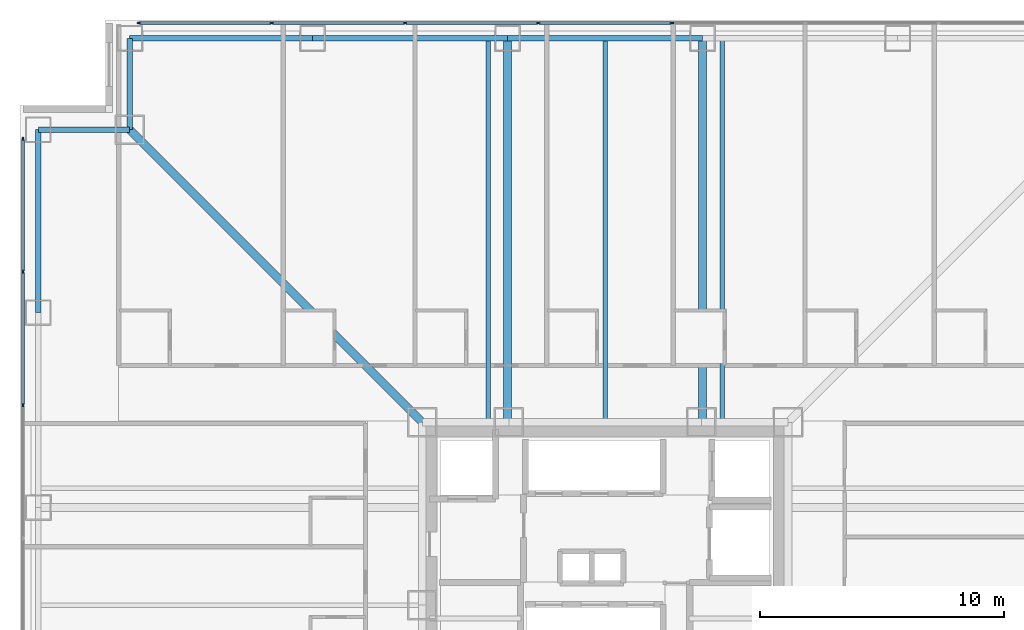
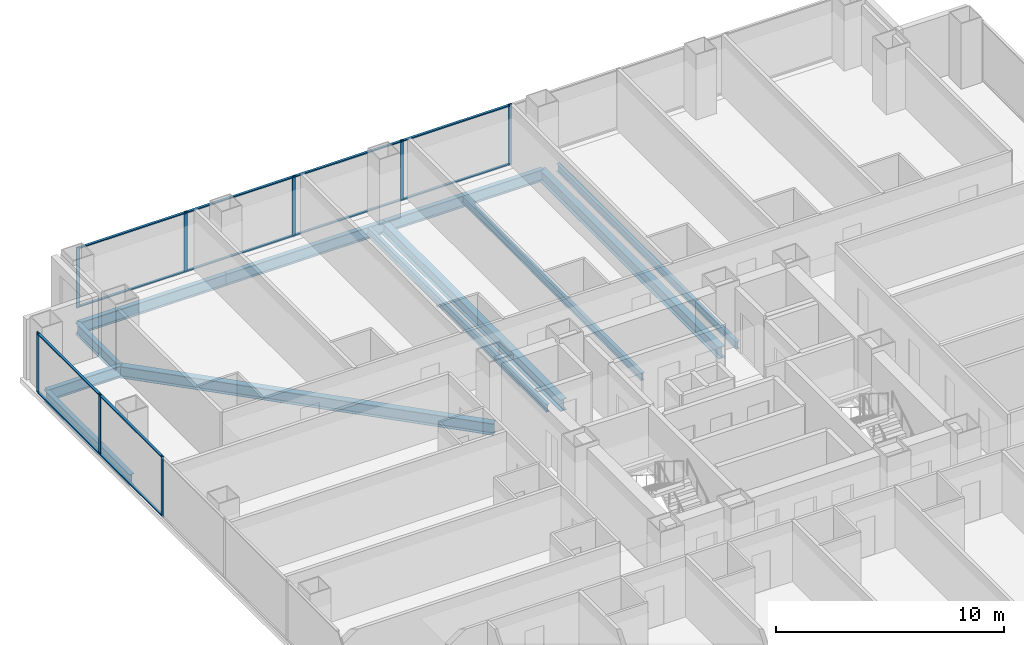
# One storey, part 8 of 17: 20 members, 12 beams, 2 elements without a shape of their own.
"""IFC4 building model written with IfcOpenShell, lengths in metres."""

from ifc_helpers import new_model, si_unit, direction, frame, origin, origin_2d, place, context, subcontext, project, spatial, rectangle, i_section, extrude, material, layer, layer_set, material_profile, profile_set, type_object, element, aggregate, save


model = new_model("IFC4")

# Units and contexts
model_context = context("Model", 3, precision=1e-05, world=origin(), true_north=direction((0.0, 1.0)))
body_context = subcontext(model_context, "Body", "Model", "MODEL_VIEW")
ifc_project = project(units=[si_unit("LENGTHUNIT", "METRE"), si_unit("AREAUNIT", "SQUARE_METRE"), si_unit("VOLUMEUNIT", "CUBIC_METRE"), si_unit("PLANEANGLEUNIT", "RADIAN"), si_unit("MASSUNIT", "GRAM", prefix="KILO")], contexts=[model_context])

# Site, building, storey
site_placement = place(None, origin())
site = spatial("IfcSite", under=ifc_project, at=site_placement, CompositionType="ELEMENT")
building_placement = place(site_placement, origin())
building = spatial("IfcBuilding", under=site, at=building_placement, Name="Trevonay Congress Spire", CompositionType="ELEMENT")
storey_placement = place(building_placement, frame((0.0, 0.0, 30.5)))
storey = spatial("IfcBuildingStorey", under=building, at=storey_placement, Name="L06", CompositionType="ELEMENT", Elevation=30.5)

# Beams
ifc_material_1 = material(Name="Steel ASTM A572 Grade 50", Category="steel")
ifc_material_profile_1 = material_profile(ifc_material_1, i_section(OverallWidth=0.324951171875, OverallDepth=0.615966796875, WebThickness=0.013916015625, FlangeThickness=0.021484375, FilletRadius=0.01806640625, at=origin_2d()), Name="W610x174")
ifc_profile_set_1 = profile_set([ifc_material_profile_1], Name="Steel ASTM A572 Grade 50")
beam_type_1 = type_object("IfcBeamType", Name="BM-GIRD-W610X174", PredefinedType="BEAM", material=ifc_profile_set_1)
beam_1_placement = place(storey_placement, frame((-7.5, 7.5, -0.55810546875), z_axis=(-0.707106781187, 0.707106781187, 0.0), x_axis=(-0.707106781187, -0.707106781187, 0.0)))
element("IfcBeam", 1, at=beam_1_placement, inside=storey, type_object=beam_type_1, Name="L06 structural beam BM-L06-CDNW", PredefinedType="BEAM", context=body_context, shape_type="SweptSolid", body=[
    extrude(i_section(OverallWidth=0.324951171875, OverallDepth=0.615966796875, WebThickness=0.013916015625, FlangeThickness=0.021484375, FilletRadius=0.01806640625, at=origin_2d()), origin(), (0.0, 0.0, 1.0), 16.970458984375),
])
for number, where, z_axis, x_axis, name in (
    (2, (-4.0, 7.5, -0.55810546875), (0.0, 1.0, 0.0), (-1.0, 0.0, 0.0), "L06 structural beam BM-L06-GN-M"),
    (3, (4.0, 7.5, -0.55810546875), (0.0, 1.0, 0.0), (-1.0, 0.0, 0.0), "L06 structural beam BM-L06-GN-P"),
):
    element("IfcBeam", number, at=place(storey_placement, frame(where, z_axis=z_axis, x_axis=x_axis)), inside=storey, type_object=beam_type_1, Name=name, PredefinedType="BEAM", context=body_context, shape_type="SweptSolid", body=[
        extrude(i_section(OverallWidth=0.324951171875, OverallDepth=0.615966796875, WebThickness=0.013916015625, FlangeThickness=0.021484375, FilletRadius=0.01806640625, at=origin_2d()), origin(), (0.0, 0.0, 1.0), 15.75),
    ])
ifc_material_profile_2 = material_profile(ifc_material_1, i_section(OverallWidth=0.22998046875, OverallDepth=0.616943359375, WebThickness=0.01318359375, FlangeThickness=0.022216796875, FilletRadius=0.01611328125, at=origin_2d()), Name="W610x140")
ifc_profile_set_2 = profile_set([ifc_material_profile_2], Name="Steel ASTM A572 Grade 50")
beam_type_2 = type_object("IfcBeamType", Name="BM-RING-W610X140", PredefinedType="BEAM", material=ifc_profile_set_2)
beam_2_placement = place(storey_placement, frame((-19.5, 23.25, -0.55859375), z_axis=(1.0, 0.0, 0.0), x_axis=(0.0, 1.0, 0.0)))
element("IfcBeam", 4, at=beam_2_placement, inside=storey, type_object=beam_type_2, Name="L06 structural beam BM-L06-PN1", PredefinedType="BEAM", context=body_context, shape_type="SweptSolid", body=[
    extrude(i_section(OverallWidth=0.22998046875, OverallDepth=0.616943359375, WebThickness=0.01318359375, FlangeThickness=0.022216796875, FilletRadius=0.01611328125, at=origin_2d()), origin(), (0.0, 0.0, 1.0), 7.5),
])
for number, where, z_axis, x_axis, name in (
    (5, (-12.0, 23.25, -0.55859375), (1.0, 0.0, 0.0), (0.0, 1.0, 0.0), "L06 structural beam BM-L06-PN2"),
    (6, (-4.0, 23.25, -0.55859375), (1.0, 0.0, 0.0), (0.0, 1.0, 0.0), "L06 structural beam BM-L06-PN3"),
):
    element("IfcBeam", number, at=place(storey_placement, frame(where, z_axis=z_axis, x_axis=x_axis)), inside=storey, type_object=beam_type_2, Name=name, PredefinedType="BEAM", context=body_context, shape_type="SweptSolid", body=[
        extrude(i_section(OverallWidth=0.22998046875, OverallDepth=0.616943359375, WebThickness=0.01318359375, FlangeThickness=0.022216796875, FilletRadius=0.01611328125, at=origin_2d()), origin(), (0.0, 0.0, 1.0), 8.0),
    ])
beam_3_placement = place(storey_placement, frame((-23.25, 12.0, -0.55859375), z_axis=(0.0, 1.0, 0.0), x_axis=(-1.0, 0.0, 0.0)))
element("IfcBeam", 7, at=beam_3_placement, inside=storey, type_object=beam_type_2, Name="L06 structural beam BM-L06-PW5", PredefinedType="BEAM", context=body_context, shape_type="SweptSolid", body=[
    extrude(i_section(OverallWidth=0.22998046875, OverallDepth=0.616943359375, WebThickness=0.01318359375, FlangeThickness=0.022216796875, FilletRadius=0.01611328125, at=origin_2d()), origin(), (0.0, 0.0, 1.0), 7.5),
])
for number, where, z_axis, x_axis, name in (
    (8, (-19.5, 23.25, -0.55859375), (0.0, -1.0, 0.0), (1.0, 0.0, 0.0), "L06 structural beam BM-L06-N1NW"),
    (9, (-23.25, 19.5, -0.55859375), (1.0, 0.0, 0.0), (0.0, 1.0, 0.0), "L06 structural beam BM-L06-N2NW"),
):
    element("IfcBeam", number, at=place(storey_placement, frame(where, z_axis=z_axis, x_axis=x_axis)), inside=storey, type_object=beam_type_2, Name=name, PredefinedType="BEAM", context=body_context, shape_type="SweptSolid", body=[
        extrude(i_section(OverallWidth=0.22998046875, OverallDepth=0.616943359375, WebThickness=0.01318359375, FlangeThickness=0.022216796875, FilletRadius=0.01611328125, at=origin_2d()), origin(), (0.0, 0.0, 1.0), 3.75),
    ])

# Curtain wall, members
ifc_material_2 = material(Name="Pale Anodised Aluminium EN AW-6063-T6", Category="aluminium")
ifc_layer = layer(ifc_material_2, 0.179931640625, Name="Pale Anodised Aluminium EN AW-6063-T6")
ifc_layer_set = layer_set([ifc_layer], Name="Pale Anodised Aluminium EN AW-6063-T6")
curtain_wall_type = type_object("IfcCurtainWallType", Name="CW-SYS02-HOTEL-PALE-METAL", PredefinedType="NOTDEFINED", material=ifc_layer_set)
curtain_wall_1_placement = place(storey_placement, origin())
curtain_wall_1 = element("IfcCurtainWall", 10, at=curtain_wall_1_placement, inside=storey, type_object=curtain_wall_type, Name="L06 N unitised curtain wall", PredefinedType="NOTDEFINED")
ifc_material_profile_3 = material_profile(ifc_material_2, rectangle(XDim=0.06005859375, YDim=0.159912109375, at=origin_2d()), Name="CW-MULLION-160-ALUMINIUM")
ifc_profile_set_3 = profile_set([ifc_material_profile_3], Name="Pale Anodised Aluminium EN AW-6063-T6")
member_type_1 = type_object("IfcMemberType", Name="CW-MULLION-160-ALUMINIUM", PredefinedType="MULLION", material=ifc_profile_set_3)
member_1_placement = place(storey_placement, frame((-19.1201171875, 23.8798828125, 0.0), z_axis=(0.0, 0.0, 1.0), x_axis=(0.0, 1.0, 0.0)))
member_1 = element("IfcMember", 11, at=member_1_placement, type_object=member_type_1, Name="CW02 mullion 1", PredefinedType="MULLION", context=body_context, shape_type="SweptSolid", body=[
    extrude(rectangle(XDim=0.06005859375, YDim=0.159912109375, at=origin_2d()), origin(), (0.0, 0.0, 1.0), 3.25),
])
member_2_placement = place(storey_placement, frame((-13.678466796875, 23.8798828125, 0.0), z_axis=(0.0, 0.0, 1.0), x_axis=(0.0, 1.0, 0.0)))
member_2 = element("IfcMember", 12, at=member_2_placement, type_object=member_type_1, Name="CW02 mullion 2", PredefinedType="MULLION", context=body_context, shape_type="SweptSolid", body=[
    extrude(rectangle(XDim=0.06005859375, YDim=0.159912109375, at=origin_2d()), origin(), (0.0, 0.0, 1.0), 3.25),
])
member_3_placement = place(storey_placement, frame((-8.20703125, 23.8798828125, 0.0), z_axis=(0.0, 0.0, 1.0), x_axis=(0.0, 1.0, 0.0)))
member_3 = element("IfcMember", 13, at=member_3_placement, type_object=member_type_1, Name="CW02 mullion 3", PredefinedType="MULLION", context=body_context, shape_type="SweptSolid", body=[
    extrude(rectangle(XDim=0.06005859375, YDim=0.159912109375, at=origin_2d()), origin(), (0.0, 0.0, 1.0), 3.25),
])
member_4_placement = place(storey_placement, frame((-2.735595703125, 23.8798828125, 0.0), z_axis=(0.0, 0.0, 1.0), x_axis=(0.0, 1.0, 0.0)))
member_4 = element("IfcMember", 14, at=member_4_placement, type_object=member_type_1, Name="CW02 mullion 4", PredefinedType="MULLION", context=body_context, shape_type="SweptSolid", body=[
    extrude(rectangle(XDim=0.06005859375, YDim=0.159912109375, at=origin_2d()), origin(), (0.0, 0.0, 1.0), 3.25),
])
member_5_placement = place(storey_placement, frame((2.735595703125, 23.8798828125, 0.0), z_axis=(0.0, 0.0, 1.0), x_axis=(0.0, 1.0, 0.0)))
member_5 = element("IfcMember", 15, at=member_5_placement, type_object=member_type_1, Name="CW02 mullion 5", PredefinedType="MULLION", context=body_context, shape_type="SweptSolid", body=[
    extrude(rectangle(XDim=0.06005859375, YDim=0.159912109375, at=origin_2d()), origin(), (0.0, 0.0, 1.0), 3.25),
])

curtain_wall_2_placement = place(storey_placement, origin())
curtain_wall_2 = element("IfcCurtainWall", 16, at=curtain_wall_2_placement, inside=storey, type_object=curtain_wall_type, Name="L06 W unitised curtain wall", PredefinedType="NOTDEFINED")
member_6_placement = place(storey_placement, frame((-23.8798828125, 8.20703125, 0.0), z_axis=(0.0, 0.0, 1.0), x_axis=(-1.0, 0.0, 0.0)))
member_6 = element("IfcMember", 17, at=member_6_placement, type_object=member_type_1, Name="CW02 mullion 6", PredefinedType="MULLION", context=body_context, shape_type="SweptSolid", body=[
    extrude(rectangle(XDim=0.06005859375, YDim=0.159912109375, at=origin_2d()), origin(), (0.0, 0.0, 1.0), 3.25),
])
member_7_placement = place(storey_placement, frame((-23.8798828125, 13.678466796875, 0.0), z_axis=(0.0, 0.0, 1.0), x_axis=(-1.0, 0.0, 0.0)))
member_7 = element("IfcMember", 18, at=member_7_placement, type_object=member_type_1, Name="CW02 mullion 7", PredefinedType="MULLION", context=body_context, shape_type="SweptSolid", body=[
    extrude(rectangle(XDim=0.06005859375, YDim=0.159912109375, at=origin_2d()), origin(), (0.0, 0.0, 1.0), 3.25),
])
member_8_placement = place(storey_placement, frame((-23.8798828125, 19.1201171875, 0.0), z_axis=(0.0, 0.0, 1.0), x_axis=(-1.0, 0.0, 0.0)))
member_8 = element("IfcMember", 19, at=member_8_placement, type_object=member_type_1, Name="CW02 mullion 8", PredefinedType="MULLION", context=body_context, shape_type="SweptSolid", body=[
    extrude(rectangle(XDim=0.06005859375, YDim=0.159912109375, at=origin_2d()), origin(), (0.0, 0.0, 1.0), 3.25),
])

# Member
ifc_material_profile_4 = material_profile(ifc_material_2, rectangle(XDim=0.1201171875, YDim=0.06005859375, at=origin_2d()), Name="CW-TRANSOM-120-ALUMINIUM")
ifc_profile_set_4 = profile_set([ifc_material_profile_4], Name="Pale Anodised Aluminium EN AW-6063-T6")
member_type_2 = type_object("IfcMemberType", Name="CW-TRANSOM-120-ALUMINIUM", PredefinedType="USERDEFINED", material=ifc_profile_set_4)
member_9_placement = place(storey_placement, frame((-19.090087890625, 23.8798828125, 0.06005859375), z_axis=(1.0, 0.0, 0.0), x_axis=(0.0, 1.0, 0.0)))
member_9 = element("IfcMember", 20, at=member_9_placement, type_object=member_type_2, Name="CW02 transom 1.1", ObjectType="TRANSOM", PredefinedType="USERDEFINED", context=body_context, shape_type="SweptSolid", body=[
    extrude(rectangle(XDim=0.1201171875, YDim=0.06005859375, at=origin_2d()), origin(), (0.0, 0.0, 1.0), 5.381591796875),
])

member_10_placement = place(storey_placement, frame((-19.090087890625, 23.8798828125, 3.18994140625), z_axis=(1.0, 0.0, 0.0), x_axis=(0.0, 1.0, 0.0)))
member_10 = element("IfcMember", 21, at=member_10_placement, type_object=member_type_2, Name="CW02 transom 1.2", ObjectType="TRANSOM", PredefinedType="USERDEFINED", context=body_context, shape_type="SweptSolid", body=[
    extrude(rectangle(XDim=0.1201171875, YDim=0.06005859375, at=origin_2d()), origin(), (0.0, 0.0, 1.0), 5.381591796875),
])

member_11_placement = place(storey_placement, frame((-13.648681640625, 23.8798828125, 0.06005859375), z_axis=(1.0, 0.0, 0.0), x_axis=(0.0, 1.0, 0.0)))
member_11 = element("IfcMember", 22, at=member_11_placement, type_object=member_type_2, Name="CW02 transom 2.1", ObjectType="TRANSOM", PredefinedType="USERDEFINED", context=body_context, shape_type="SweptSolid", body=[
    extrude(rectangle(XDim=0.1201171875, YDim=0.06005859375, at=origin_2d()), origin(), (0.0, 0.0, 1.0), 5.41162109375),
])

member_12_placement = place(storey_placement, frame((-13.648681640625, 23.8798828125, 3.18994140625), z_axis=(1.0, 0.0, 0.0), x_axis=(0.0, 1.0, 0.0)))
member_12 = element("IfcMember", 23, at=member_12_placement, type_object=member_type_2, Name="CW02 transom 2.2", ObjectType="TRANSOM", PredefinedType="USERDEFINED", context=body_context, shape_type="SweptSolid", body=[
    extrude(rectangle(XDim=0.1201171875, YDim=0.06005859375, at=origin_2d()), origin(), (0.0, 0.0, 1.0), 5.41162109375),
])

member_13_placement = place(storey_placement, frame((-8.17724609375, 23.8798828125, 0.06005859375), z_axis=(1.0, 0.0, 0.0), x_axis=(0.0, 1.0, 0.0)))
member_13 = element("IfcMember", 24, at=member_13_placement, type_object=member_type_2, Name="CW02 transom 3.1", ObjectType="TRANSOM", PredefinedType="USERDEFINED", context=body_context, shape_type="SweptSolid", body=[
    extrude(rectangle(XDim=0.1201171875, YDim=0.06005859375, at=origin_2d()), origin(), (0.0, 0.0, 1.0), 5.41162109375),
])

member_14_placement = place(storey_placement, frame((-8.17724609375, 23.8798828125, 3.18994140625), z_axis=(1.0, 0.0, 0.0), x_axis=(0.0, 1.0, 0.0)))
member_14 = element("IfcMember", 25, at=member_14_placement, type_object=member_type_2, Name="CW02 transom 3.2", ObjectType="TRANSOM", PredefinedType="USERDEFINED", context=body_context, shape_type="SweptSolid", body=[
    extrude(rectangle(XDim=0.1201171875, YDim=0.06005859375, at=origin_2d()), origin(), (0.0, 0.0, 1.0), 5.41162109375),
])

member_15_placement = place(storey_placement, frame((-2.705810546875, 23.8798828125, 0.06005859375), z_axis=(1.0, 0.0, 0.0), x_axis=(0.0, 1.0, 0.0)))
member_15 = element("IfcMember", 26, at=member_15_placement, type_object=member_type_2, Name="CW02 transom 4.1", ObjectType="TRANSOM", PredefinedType="USERDEFINED", context=body_context, shape_type="SweptSolid", body=[
    extrude(rectangle(XDim=0.1201171875, YDim=0.06005859375, at=origin_2d()), origin(), (0.0, 0.0, 1.0), 5.41162109375),
])

member_16_placement = place(storey_placement, frame((-2.705810546875, 23.8798828125, 3.18994140625), z_axis=(1.0, 0.0, 0.0), x_axis=(0.0, 1.0, 0.0)))
member_16 = element("IfcMember", 27, at=member_16_placement, type_object=member_type_2, Name="CW02 transom 4.2", ObjectType="TRANSOM", PredefinedType="USERDEFINED", context=body_context, shape_type="SweptSolid", body=[
    extrude(rectangle(XDim=0.1201171875, YDim=0.06005859375, at=origin_2d()), origin(), (0.0, 0.0, 1.0), 5.41162109375),
])

aggregate(curtain_wall_1, [member_1, member_2, member_3, member_4, member_5, member_9, member_10, member_11, member_12, member_13, member_14, member_15, member_16])

member_17_placement = place(storey_placement, frame((-23.8798828125, 8.237060546875, 0.06005859375), z_axis=(0.0, 1.0, 0.0), x_axis=(-1.0, 0.0, 0.0)))
member_17 = element("IfcMember", 28, at=member_17_placement, type_object=member_type_2, Name="CW02 transom 6.1", ObjectType="TRANSOM", PredefinedType="USERDEFINED", context=body_context, shape_type="SweptSolid", body=[
    extrude(rectangle(XDim=0.1201171875, YDim=0.06005859375, at=origin_2d()), origin(), (0.0, 0.0, 1.0), 5.41162109375),
])

member_18_placement = place(storey_placement, frame((-23.8798828125, 8.237060546875, 3.18994140625), z_axis=(0.0, 1.0, 0.0), x_axis=(-1.0, 0.0, 0.0)))
member_18 = element("IfcMember", 29, at=member_18_placement, type_object=member_type_2, Name="CW02 transom 6.2", ObjectType="TRANSOM", PredefinedType="USERDEFINED", context=body_context, shape_type="SweptSolid", body=[
    extrude(rectangle(XDim=0.1201171875, YDim=0.06005859375, at=origin_2d()), origin(), (0.0, 0.0, 1.0), 5.41162109375),
])

member_19_placement = place(storey_placement, frame((-23.8798828125, 13.70849609375, 0.06005859375), z_axis=(0.0, 1.0, 0.0), x_axis=(-1.0, 0.0, 0.0)))
member_19 = element("IfcMember", 30, at=member_19_placement, type_object=member_type_2, Name="CW02 transom 7.1", ObjectType="TRANSOM", PredefinedType="USERDEFINED", context=body_context, shape_type="SweptSolid", body=[
    extrude(rectangle(XDim=0.1201171875, YDim=0.06005859375, at=origin_2d()), origin(), (0.0, 0.0, 1.0), 5.381591796875),
])

member_20_placement = place(storey_placement, frame((-23.8798828125, 13.70849609375, 3.18994140625), z_axis=(0.0, 1.0, 0.0), x_axis=(-1.0, 0.0, 0.0)))
member_20 = element("IfcMember", 31, at=member_20_placement, type_object=member_type_2, Name="CW02 transom 7.2", ObjectType="TRANSOM", PredefinedType="USERDEFINED", context=body_context, shape_type="SweptSolid", body=[
    extrude(rectangle(XDim=0.1201171875, YDim=0.06005859375, at=origin_2d()), origin(), (0.0, 0.0, 1.0), 5.381591796875),
])

aggregate(curtain_wall_2, [member_6, member_7, member_8, member_17, member_18, member_19, member_20])

# Beams
ifc_material_profile_5 = material_profile(ifc_material_1, i_section(OverallWidth=0.177978515625, OverallDepth=0.406982421875, WebThickness=0.0078125, FlangeThickness=0.0126953125, FilletRadius=0.012939453125, at=origin_2d()), Name="W410x60")
ifc_profile_set_5 = profile_set([ifc_material_profile_5], Name="Steel ASTM A572 Grade 50")
beam_type_3 = type_object("IfcBeamType", Name="JS-COMP-W410X60", PredefinedType="JOIST", material=ifc_profile_set_5)
for number, where, z_axis, x_axis, name in (
    (32, (-4.800048828125, 7.5, -0.45361328125), (0.0, 1.0, 0.0), (-1.0, 0.0, 0.0), "L06 structural beam JS-L06-NS-N1"),
    (33, (0.0, 7.5, -0.45361328125), (0.0, 1.0, 0.0), (-1.0, 0.0, 0.0), "L06 structural beam JS-L06-NS-N2"),
    (34, (4.800048828125, 7.5, -0.45361328125), (0.0, 1.0, 0.0), (-1.0, 0.0, 0.0), "L06 structural beam JS-L06-NS-N3"),
):
    element("IfcBeam", number, at=place(storey_placement, frame(where, z_axis=z_axis, x_axis=x_axis)), inside=storey, type_object=beam_type_3, Name=name, PredefinedType="JOIST", context=body_context, shape_type="SweptSolid", body=[
        extrude(i_section(OverallWidth=0.177978515625, OverallDepth=0.406982421875, WebThickness=0.0078125, FlangeThickness=0.0126953125, FilletRadius=0.012939453125, at=origin_2d()), origin(), (0.0, 0.0, 1.0), 15.75),
    ])

save(model, "model.ifc")
